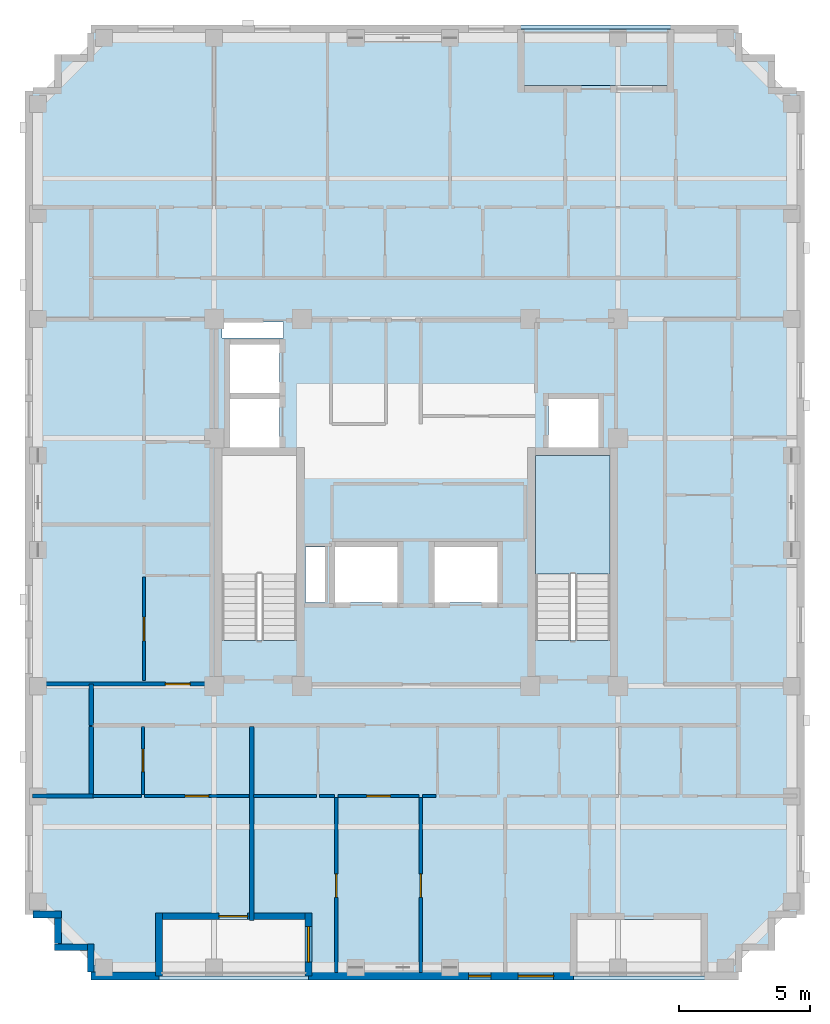
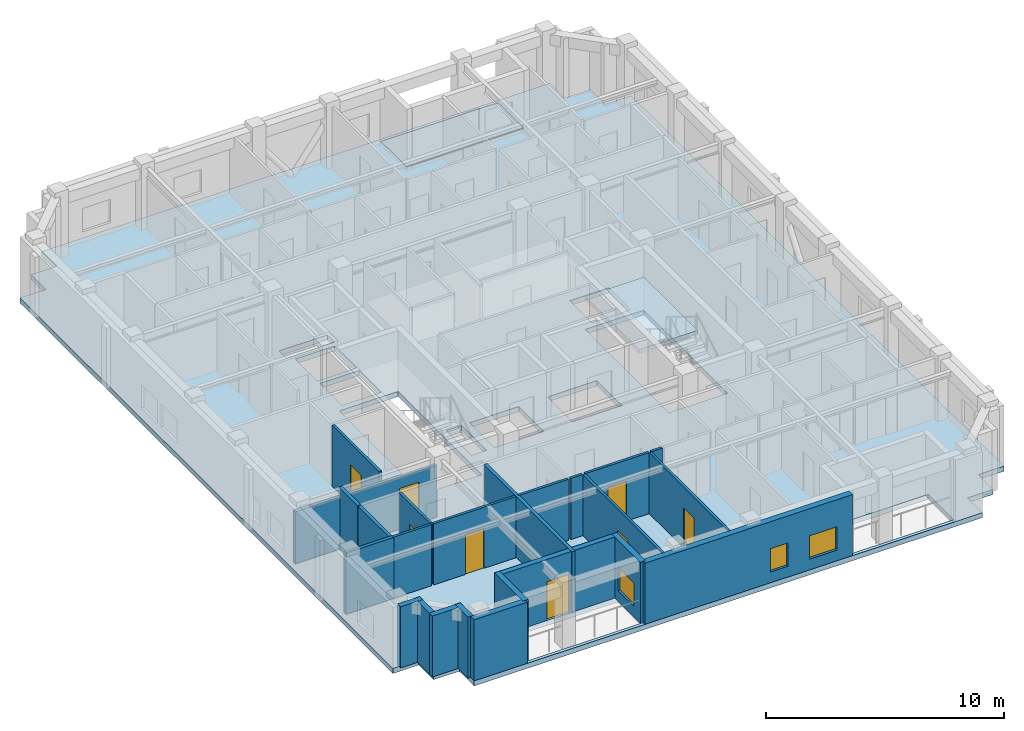
# One storey, part 2 of 11: 24 walls, 8 doors, 3 slabs, 3 windows, 11 openings, 1 element without a shape of its own.
"""IFC4 building model written with IfcOpenShell, lengths in metres."""

from ifc_helpers import new_model, si_unit, derived_unit, direction, frame, frame_2d, origin, place, context, subcontext, project, spatial, polyline, rectangle, outline, extrude, material, layer, layer_set, type_object, element, fill, aggregate, save


model = new_model("IFC4")

# Units and contexts
model_context = context("Model", 3, precision=1e-05, world=origin(), true_north=direction((0.0, 1.0)))
body_context = subcontext(model_context, "Body", "Model", "MODEL_VIEW")
ifc_project = project(units=[si_unit("LENGTHUNIT", "METRE"), si_unit("AREAUNIT", "SQUARE_METRE"), si_unit("VOLUMEUNIT", "CUBIC_METRE"), si_unit("PLANEANGLEUNIT", "RADIAN"), si_unit("MASSUNIT", "GRAM", prefix="KILO"), derived_unit("THERMALTRANSMITTANCEUNIT", [(si_unit("MASSUNIT", "GRAM", prefix="KILO"), 1), (si_unit("TIMEUNIT", "SECOND"), -3), (si_unit("THERMODYNAMICTEMPERATUREUNIT", "KELVIN"), -1)])], contexts=[model_context])

# Site, building, storey
site_placement = place(None, origin())
site = spatial("IfcSite", under=ifc_project, at=site_placement, CompositionType="ELEMENT")
building_placement = place(site_placement, origin())
building = spatial("IfcBuilding", under=site, at=building_placement, Name="Korrvale Station Residences", CompositionType="ELEMENT")
storey_placement = place(building_placement, frame((0.0, 0.0, 244.5)))
storey = spatial("IfcBuildingStorey", under=building, at=storey_placement, Name="L71", CompositionType="ELEMENT", Elevation=244.5)

# Slabs
ifc_material_1 = material(Name="Concrete C50/60", Category="concrete")
ifc_layer_1 = layer(ifc_material_1, 0.219970703125, Name="Concrete C50/60")
ifc_layer_set_1 = layer_set([ifc_layer_1], Name="Concrete C50/60")
slab_type_1 = type_object("IfcSlabType", Name="SLB-BAL-220", PredefinedType="FLOOR", material=ifc_layer_set_1)
slab_1_placement = place(storey_placement, frame((0.0, 0.0, -0.219970703125)))
element("IfcSlab", 1, at=slab_1_placement, inside=storey, type_object=slab_type_1, Name="L71 Recessed Loggia Balcony Slab BAL-L71-N1", PredefinedType="FLOOR", context=body_context, shape_type="SweptSolid", body=[
    extrude(outline(polyline([(29.5, 37.89990234375), (35.199951171875, 37.89990234375), (35.199951171875, 40.050048828125), (29.5, 40.050048828125), (29.5, 37.89990234375)])), origin(), (0.0, 0.0, 1.0), 0.219970703125),
])
ifc_layer_2 = layer(ifc_material_1, 0.260009765625, Name="Concrete C50/60")
ifc_layer_set_2 = layer_set([ifc_layer_2], Name="Concrete C50/60")
slab_type_2 = type_object("IfcSlabType", Name="SLB-FLR-260", PredefinedType="FLOOR", material=ifc_layer_set_2)
slab_2_placement = place(storey_placement, frame((0.0, 0.0, -0.260009765625)))
element("IfcSlab", 2, at=slab_2_placement, inside=storey, type_object=slab_type_2, Name="L71 Suspended Structural Floor Slab", PredefinedType="FLOOR", context=body_context, shape_type="SweptSolid", body=[
    extrude(outline(polyline([(13.10009765625, 3.800048828125), (37.800048828125, 3.800048828125), (37.800048828125, 5.050048828125), (39.050048828125, 5.050048828125), (39.050048828125, 6.300048828125), (40.300048828125, 6.300048828125), (40.300048828125, 37.699951171875), (39.050048828125, 37.699951171875), (39.050048828125, 38.949951171875), (37.800048828125, 38.949951171875), (37.800048828125, 40.199951171875), (13.10009765625, 40.199951171875), (13.10009765625, 38.949951171875), (11.85009765625, 38.949951171875), (11.85009765625, 37.699951171875), (10.60009765625, 37.699951171875), (10.60009765625, 6.300048828125), (11.85009765625, 6.300048828125), (11.85009765625, 5.050048828125), (13.10009765625, 5.050048828125), (13.10009765625, 3.800048828125)]), holes=[polyline([(20.949951171875, 16.751953125), (20.949951171875, 23.800048828125), (18.10009765625, 23.800048828125), (18.10009765625, 16.751953125), (20.949951171875, 16.751953125)]), polyline([(32.89990234375, 16.751953125), (32.89990234375, 23.800048828125), (30.050048828125, 23.800048828125), (30.050048828125, 16.751953125), (32.89990234375, 16.751953125)]), polyline([(18.39990234375, 24.10009765625), (20.300048828125, 24.10009765625), (20.300048828125, 25.949951171875), (18.39990234375, 25.949951171875), (18.39990234375, 24.10009765625)]), polyline([(18.39990234375, 26.169921875), (20.300048828125, 26.169921875), (20.300048828125, 28.02001953125), (18.39990234375, 28.02001953125), (18.39990234375, 26.169921875)]), polyline([(30.550048828125, 24.10009765625), (32.449951171875, 24.10009765625), (32.449951171875, 25.949951171875), (30.550048828125, 25.949951171875), (30.550048828125, 24.10009765625)]), polyline([(22.39990234375, 18.199951171875), (24.800048828125, 18.199951171875), (24.800048828125, 20.300048828125), (22.39990234375, 20.300048828125), (22.39990234375, 18.199951171875)]), polyline([(26.199951171875, 18.199951171875), (28.60009765625, 18.199951171875), (28.60009765625, 20.300048828125), (26.199951171875, 20.300048828125), (26.199951171875, 18.199951171875)]), polyline([(18.10009765625, 28.280029296875), (20.449951171875, 28.280029296875), (20.449951171875, 28.8798828125), (18.10009765625, 28.8798828125), (18.10009765625, 28.280029296875)]), polyline([(21.280029296875, 18.199951171875), (22.02001953125, 18.199951171875), (22.02001953125, 20.300048828125), (21.280029296875, 20.300048828125), (21.280029296875, 18.199951171875)]), polyline([(15.699951171875, 3.949951171875), (21.39990234375, 3.949951171875), (21.39990234375, 6.10009765625), (15.699951171875, 6.10009765625), (15.699951171875, 3.949951171875)]), polyline([(29.5, 37.89990234375), (35.199951171875, 37.89990234375), (35.199951171875, 40.050048828125), (29.5, 40.050048828125), (29.5, 37.89990234375)]), polyline([(31.5, 3.949951171875), (36.5, 3.949951171875), (36.5, 6.10009765625), (31.5, 6.10009765625), (31.5, 3.949951171875)])]), origin(), (0.0, 0.0, 1.0), 0.260009765625),
])

# Stair, slab
stair_type = type_object("IfcStairType", Name="STR-DL-1350-20R-1700", PredefinedType="HALF_TURN_STAIR", material=ifc_material_1)
stair_placement = place(storey_placement, origin())
stair = element("IfcStair", 3, at=stair_placement, inside=storey, type_object=stair_type, Name="L71 Exit Stair 2", PredefinedType="HALF_TURN_STAIR")
ifc_layer_3 = layer(ifc_material_1, 0.199951171875, Name="Concrete C50/60")
ifc_layer_set_3 = layer_set([ifc_layer_3], Name="Concrete C50/60")
slab_type_3 = type_object("IfcSlabType", Name="SLB-LND-200", PredefinedType="LANDING", material=ifc_layer_set_3)
slab_3_placement = place(storey_placement, frame((0.0, 0.0, 1.5)))
slab_3 = element("IfcSlab", 4, at=slab_3_placement, type_object=slab_type_3, Name="ST-2 landing 1", PredefinedType="LANDING", context=body_context, shape_type="SweptSolid", body=[
    extrude(outline(polyline([(32.89990234375, 19.27001953125), (32.89990234375, 23.800048828125), (30.050048828125, 23.800048828125), (30.050048828125, 19.27001953125), (32.89990234375, 19.27001953125)])), origin(), (0.0, 0.0, 1.0), 0.199951171875),
])
aggregate(stair, [slab_3])

# Wall, opening, window
ifc_material_2 = material(Name="Precast concrete C45/55", Category="concrete")
ifc_layer_4 = layer(ifc_material_2, 0.260009765625, Name="Precast concrete C45/55")
ifc_layer_set_4 = layer_set([ifc_layer_4], Name="Precast concrete C45/55")
wall_type_1 = type_object("IfcWallType", Name="WAL-EXT-LOG260", PredefinedType="SOLIDWALL", material=ifc_layer_set_4)
wall_1_placement = place(storey_placement, frame((21.39990234375, 3.9599609375, 0.0), z_axis=(0.0, 0.0, 1.0), x_axis=(0.0, 1.0, 0.0)))
wall_1 = element("IfcWall", 5, at=wall_1_placement, inside=storey, type_object=wall_type_1, Name="L71 Recessed Loggia Wall BAL-L71-S1-L", PredefinedType="SOLIDWALL", context=body_context, shape_type="SweptSolid", body=[
    extrude(rectangle(XDim=2.400146484375, YDim=0.260009765625, at=frame_2d((1.2001953125, 0.0))), origin(), (0.0, 0.0, 1.0), 3.139892578125),
])
opening_1_placement = place(wall_1_placement, frame((0.52490234375, 0.0, 0.550048828125)))
opening_1 = element("IfcOpeningElement", 6, at=opening_1_placement, cuts=wall_1, Name="Opening W-10", PredefinedType="OPENING", context=body_context, shape_type="SweptSolid", body=[
    extrude(rectangle(XDim=1.35009765625, YDim=1.199951171875, at=frame_2d((0.675048828125, 0.60009765625))), frame((0.0, 0.14013671875, 0.0), z_axis=(0.0, -1.0, 0.0), x_axis=(1.0, 0.0, 0.0)), (0.0, 0.0, 1.0), 0.280029296875),
])
ifc_material_3 = material(Name="Thermally broken aluminium frame with triple low-e glazing", Category="aluminium")
window_type_1 = type_object("IfcWindowType", Name="WIN-W10", PartitioningType="SINGLE_PANEL", PredefinedType="WINDOW", material=ifc_material_3)
window_1_placement = place(opening_1_placement, origin())
window_1 = element("IfcWindow", 7, at=window_1_placement, inside=storey, type_object=window_type_1, Name="L71 Punched Window 02", OverallHeight=1.199951171875, OverallWidth=1.35009765625, PartitioningType="SINGLE_PANEL", PredefinedType="WINDOW", context=body_context, shape_type="SweptSolid", body=[
    extrude(rectangle(XDim=1.35009765625, YDim=1.199951171875, at=frame_2d((0.675048828125, 0.60009765625))), frame((0.0, 0.030029296875, 0.0), z_axis=(0.0, -1.0, 0.0), x_axis=(1.0, 0.0, 0.0)), (0.0, 0.0, 1.0), 0.06005859375),
])
fill(opening_1, window_1)

# Wall, opening, door
wall_2_placement = place(storey_placement, frame((21.26611328125, 6.22998046875, 0.0), z_axis=(0.0, 0.0, 1.0), x_axis=(-1.0, 0.0, 0.0)))
wall_2 = element("IfcWall", 8, at=wall_2_placement, inside=storey, type_object=wall_type_1, Name="L71 Recessed Loggia Wall BAL-L71-S1-B", PredefinedType="SOLIDWALL", context=body_context, shape_type="SweptSolid", body=[
    extrude(rectangle(XDim=5.43212890625, YDim=0.260009765625, at=frame_2d((2.716064453125, 0.0))), origin(), (0.0, 0.0, 1.0), 3.139892578125),
])
opening_2_placement = place(wall_2_placement, frame((2.18701171875, 0.0, 0.0)))
opening_2 = element("IfcOpeningElement", 9, at=opening_2_placement, cuts=wall_2, Name="Opening BD-01", PredefinedType="OPENING", context=body_context, shape_type="SweptSolid", body=[
    extrude(rectangle(XDim=1.10009765625, YDim=2.0, at=frame_2d((0.550048828125, 1.0))), frame((0.0, 0.14013671875, 0.0), z_axis=(0.0, -1.0, 0.0), x_axis=(1.0, 0.0, 0.0)), (0.0, 0.0, 1.0), 0.280029296875),
])
ifc_material_4 = material(Name="Exterior thermally broken aluminium glazed balcony door", Category="aluminium")
door_type_1 = type_object("IfcDoorType", Name="DR-EXT-BAL", OperationType="NOTDEFINED", PredefinedType="DOOR", material=ifc_material_4)
door_1_placement = place(opening_2_placement, origin())
door_1 = element("IfcDoor", 10, at=door_1_placement, inside=storey, type_object=door_type_1, Name="L71 Loggia Balcony Door BAL-L71-S1", OperationType="SINGLE_SWING_LEFT", OverallHeight=2.0, OverallWidth=1.10009765625, PredefinedType="DOOR", context=body_context, shape_type="SweptSolid", body=[
    extrude(rectangle(XDim=1.10009765625, YDim=2.0, at=frame_2d((0.550048828125, 1.0))), frame((0.0, 0.02490234375, 0.0), z_axis=(0.0, -1.0, 0.0), x_axis=(1.0, 0.0, 0.0)), (0.0, 0.0, 1.0), 0.050048828125),
])
fill(opening_2, door_1)

# Walls
wall_3_placement = place(storey_placement, frame((15.699951171875, 6.360107421875, 0.0), z_axis=(0.0, 0.0, 1.0), x_axis=(0.0, -1.0, 0.0)))
element("IfcWall", 11, at=wall_3_placement, inside=storey, type_object=wall_type_1, Name="L71 Recessed Loggia Wall BAL-L71-S1-R", PredefinedType="SOLIDWALL", context=body_context, shape_type="SweptSolid", body=[
    extrude(rectangle(XDim=2.400146484375, YDim=0.260009765625, at=frame_2d((1.2001953125, 0.0))), origin(), (0.0, 0.0, 1.0), 3.139892578125),
])
wall_4_placement = place(storey_placement, frame((13.10009765625, 4.10205078125, 0.0), z_axis=(0.0, 0.0, 1.0), x_axis=(0.0, 1.0, 0.0)))
element("IfcWall", 12, at=wall_4_placement, inside=storey, type_object=wall_type_1, Name="L71 Serrated Corner Precast Step SW-1", PredefinedType="SOLIDWALL", context=body_context, shape_type="SweptSolid", body=[
    extrude(rectangle(XDim=1.077880859375, YDim=0.260009765625, at=frame_2d((0.5390625, 0.0))), origin(), (0.0, 0.0, 1.0), 3.139892578125),
])
wall_5_placement = place(storey_placement, frame((12.968017578125, 5.050048828125, 0.0), z_axis=(0.0, 0.0, 1.0), x_axis=(-1.0, 0.0, 0.0)))
element("IfcWall", 13, at=wall_5_placement, inside=storey, type_object=wall_type_1, Name="L71 Serrated Corner Precast Step SW-2", PredefinedType="SOLIDWALL", context=body_context, shape_type="SweptSolid", body=[
    extrude(rectangle(XDim=1.248046875, YDim=0.260009765625, at=frame_2d((0.6240234375, 0.0))), origin(), (0.0, 0.0, 1.0), 3.139892578125),
])
wall_6_placement = place(storey_placement, frame((11.85009765625, 5.181884765625, 0.0), z_axis=(0.0, 0.0, 1.0), x_axis=(0.0, 1.0, 0.0)))
element("IfcWall", 14, at=wall_6_placement, inside=storey, type_object=wall_type_1, Name="L71 Serrated Corner Precast Step SW-3", PredefinedType="SOLIDWALL", context=body_context, shape_type="SweptSolid", body=[
    extrude(rectangle(XDim=0.986083984375, YDim=0.260009765625, at=frame_2d((0.4931640625, 0.0))), origin(), (0.0, 0.0, 1.0), 3.139892578125),
])
wall_7_placement = place(storey_placement, frame((11.97998046875, 6.300048828125, 0.0), z_axis=(0.0, 0.0, 1.0), x_axis=(-1.0, 0.0, 0.0)))
element("IfcWall", 15, at=wall_7_placement, inside=storey, type_object=wall_type_1, Name="L71 Serrated Corner Precast Step SW-4", PredefinedType="SOLIDWALL", context=body_context, shape_type="SweptSolid", body=[
    extrude(rectangle(XDim=1.077880859375, YDim=0.260009765625, at=frame_2d((0.5390625, 0.0))), origin(), (0.0, 0.0, 1.0), 3.139892578125),
])

# Wall, openings, windows
ifc_layer_5 = layer(ifc_material_2, 0.300048828125, Name="Precast concrete C45/55")
ifc_layer_set_5 = layer_set([ifc_layer_5], Name="Precast concrete C45/55")
wall_type_2 = type_object("IfcWallType", Name="WAL-EXT-PC300", PredefinedType="SOLIDWALL", material=ifc_layer_set_5)
wall_8_placement = place(storey_placement, frame((31.5, 3.949951171875, 0.0), z_axis=(0.0, 0.0, 1.0), x_axis=(-1.0, 0.0, 0.0)))
wall_8 = element("IfcWall", 16, at=wall_8_placement, inside=storey, type_object=wall_type_2, Name="L71 South Exterior Precast Wall 2", PredefinedType="SOLIDWALL", context=body_context, shape_type="SweptSolid", body=[
    extrude(rectangle(XDim=10.10009765625, YDim=0.300048828125, at=frame_2d((5.050048828125, 0.0))), origin(), (0.0, 0.0, 1.0), 3.139892578125),
])
opening_3_placement = place(wall_8_placement, frame((3.14990234375, 0.0, 0.550048828125)))
opening_3 = element("IfcOpeningElement", 17, at=opening_3_placement, cuts=wall_8, Name="Opening W-11", PredefinedType="OPENING", context=body_context, shape_type="SweptSolid", body=[
    extrude(rectangle(XDim=0.85009765625, YDim=1.199951171875, at=frame_2d((0.425048828125, 0.60009765625))), frame((0.0, 0.16015625, 0.0), z_axis=(0.0, -1.0, 0.0), x_axis=(1.0, 0.0, 0.0)), (0.0, 0.0, 1.0), 0.320068359375),
])
opening_4_placement = place(wall_8_placement, frame((0.757080078125, 0.0, 0.550048828125)))
opening_4 = element("IfcOpeningElement", 18, at=opening_4_placement, cuts=wall_8, Name="Opening W-10", PredefinedType="OPENING", context=body_context, shape_type="SweptSolid", body=[
    extrude(rectangle(XDim=1.35009765625, YDim=1.199951171875, at=frame_2d((0.675048828125, 0.60009765625))), frame((0.0, 0.16015625, 0.0), z_axis=(0.0, -1.0, 0.0), x_axis=(1.0, 0.0, 0.0)), (0.0, 0.0, 1.0), 0.320068359375),
])
window_2_placement = place(opening_4_placement, origin())
window_2 = element("IfcWindow", 19, at=window_2_placement, inside=storey, type_object=window_type_1, Name="L71 Punched Window 04", OverallHeight=1.199951171875, OverallWidth=1.35009765625, PartitioningType="SINGLE_PANEL", PredefinedType="WINDOW", context=body_context, shape_type="SweptSolid", body=[
    extrude(rectangle(XDim=1.35009765625, YDim=1.199951171875, at=frame_2d((0.675048828125, 0.60009765625))), frame((0.0, 0.030029296875, 0.0), z_axis=(0.0, -1.0, 0.0), x_axis=(1.0, 0.0, 0.0)), (0.0, 0.0, 1.0), 0.06005859375),
])
fill(opening_4, window_2)
window_type_2 = type_object("IfcWindowType", Name="WIN-W11", PartitioningType="SINGLE_PANEL", PredefinedType="WINDOW", material=ifc_material_3)
window_3_placement = place(opening_3_placement, origin())
window_3 = element("IfcWindow", 20, at=window_3_placement, inside=storey, type_object=window_type_2, Name="L71 Punched Window 03", OverallHeight=1.199951171875, OverallWidth=0.85009765625, PartitioningType="SINGLE_PANEL", PredefinedType="WINDOW", context=body_context, shape_type="SweptSolid", body=[
    extrude(rectangle(XDim=0.85009765625, YDim=1.199951171875, at=frame_2d((0.425048828125, 0.60009765625))), frame((0.0, 0.030029296875, 0.0), z_axis=(0.0, -1.0, 0.0), x_axis=(1.0, 0.0, 0.0)), (0.0, 0.0, 1.0), 0.06005859375),
])
fill(opening_3, window_3)

# Wall
wall_9_placement = place(storey_placement, frame((15.699951171875, 3.949951171875, 0.0), z_axis=(0.0, 0.0, 1.0), x_axis=(-1.0, 0.0, 0.0)))
element("IfcWall", 21, at=wall_9_placement, inside=storey, type_object=wall_type_2, Name="L71 South Exterior Precast Wall 3", PredefinedType="SOLIDWALL", context=body_context, shape_type="SweptSolid", body=[
    extrude(rectangle(XDim=2.599853515625, YDim=0.300048828125, at=frame_2d((1.2998046875, 0.0))), origin(), (0.0, 0.0, 1.0), 3.139892578125),
])

# Wall, opening, door
ifc_material_5 = material(Name="Acoustic steel-stud gypsum board partition", Category="steel")
ifc_layer_6 = layer(ifc_material_5, 0.1201171875, Name="Acoustic steel-stud gypsum board partition")
ifc_layer_set_6 = layer_set([ifc_layer_6], Name="Acoustic steel-stud gypsum board partition")
wall_type_3 = type_object("IfcWallType", Name="WAL-PART-125", PredefinedType="PARTITIONING", material=ifc_layer_set_6)
wall_10_placement = place(storey_placement, frame((15.090087890625, 10.8701171875, 0.0), z_axis=(0.0, 0.0, 1.0), x_axis=(0.0, 1.0, 0.0)))
wall_10 = element("IfcWall", 22, at=wall_10_placement, inside=storey, type_object=wall_type_3, Name="L71 Suite Partition U01-V01", PredefinedType="PARTITIONING", context=body_context, shape_type="SweptSolid", body=[
    extrude(rectangle(XDim=2.599853515625, YDim=0.1201171875, at=frame_2d((1.2998046875, 0.0))), origin(), (0.0, 0.0, 1.0), 3.139892578125),
])
opening_5_placement = place(wall_10_placement, frame((0.8701171875, 0.0, 0.0)))
opening_5 = element("IfcOpeningElement", 23, at=opening_5_placement, cuts=wall_10, Name="Opening DB-860", PredefinedType="OPENING", context=body_context, shape_type="SweptSolid", body=[
    extrude(rectangle(XDim=0.860107421875, YDim=2.050048828125, at=frame_2d((0.43017578125, 1.02490234375))), frame((0.0, 0.070068359375, 0.0), z_axis=(0.0, -1.0, 0.0), x_axis=(1.0, 0.0, 0.0)), (0.0, 0.0, 1.0), 0.14013671875),
])
ifc_material_6 = material(Name="Moisture-resistant solid-core bathroom door", Category="timber")
door_type_2 = type_object("IfcDoorType", Name="DR-BATH-860", OperationType="NOTDEFINED", PredefinedType="DOOR", material=ifc_material_6)
door_2_placement = place(opening_5_placement, origin())
door_2 = element("IfcDoor", 24, at=door_2_placement, inside=storey, type_object=door_type_2, Name="L71 Studio Apartment L71-U01 Bathroom Door", OperationType="SINGLE_SWING_LEFT", OverallHeight=2.050048828125, OverallWidth=0.860107421875, PredefinedType="DOOR", context=body_context, shape_type="SweptSolid", body=[
    extrude(rectangle(XDim=0.860107421875, YDim=2.050048828125, at=frame_2d((0.43017578125, 1.02490234375))), frame((0.0, 0.02490234375, 0.0), z_axis=(0.0, -1.0, 0.0), x_axis=(1.0, 0.0, 0.0)), (0.0, 0.0, 1.0), 0.050048828125),
])
fill(opening_5, door_2)

# Wall
wall_11_placement = place(storey_placement, frame((13.179931640625, 10.81005859375, 0.0), z_axis=(0.0, 0.0, 1.0), x_axis=(1.0, 0.0, 0.0)))
element("IfcWall", 25, at=wall_11_placement, inside=storey, type_object=wall_type_3, Name="L71 Suite Partition U01-H02", PredefinedType="PARTITIONING", context=body_context, shape_type="SweptSolid", body=[
    extrude(rectangle(XDim=1.85009765625, YDim=0.1201171875, at=frame_2d((0.925048828125, 0.0))), origin(), (0.0, 0.0, 1.0), 3.139892578125),
])

# Wall, opening, door
wall_12_placement = place(storey_placement, frame((15.14990234375, 10.81005859375, 0.0), z_axis=(0.0, 0.0, 1.0), x_axis=(1.0, 0.0, 0.0)))
wall_12 = element("IfcWall", 26, at=wall_12_placement, inside=storey, type_object=wall_type_3, Name="L71 Suite Partition U01-H12", PredefinedType="PARTITIONING", context=body_context, shape_type="SweptSolid", body=[
    extrude(rectangle(XDim=3.989013671875, YDim=0.1201171875, at=frame_2d((1.99462890625, 0.0))), origin(), (0.0, 0.0, 1.0), 3.139892578125),
])
opening_6_placement = place(wall_12_placement, frame((1.5439453125, 0.0, 0.0)))
opening_6 = element("IfcOpeningElement", 27, at=opening_6_placement, cuts=wall_12, Name="Opening DI-900", PredefinedType="OPENING", context=body_context, shape_type="SweptSolid", body=[
    extrude(rectangle(XDim=0.89990234375, YDim=2.050048828125, at=frame_2d((0.449951171875, 1.02490234375))), frame((0.0, 0.070068359375, 0.0), z_axis=(0.0, -1.0, 0.0), x_axis=(1.0, 0.0, 0.0)), (0.0, 0.0, 1.0), 0.14013671875),
])
ifc_material_7 = material(Name="Painted solid-core timber interior room door", Category="wood")
door_type_3 = type_object("IfcDoorType", Name="DR-INT-900", OperationType="NOTDEFINED", PredefinedType="DOOR", material=ifc_material_7)
door_3_placement = place(opening_6_placement, origin())
door_3 = element("IfcDoor", 28, at=door_3_placement, inside=storey, type_object=door_type_3, Name="L71 Studio Apartment L71-U01 Kitchen Door", OperationType="SINGLE_SWING_RIGHT", OverallHeight=2.050048828125, OverallWidth=0.89990234375, PredefinedType="DOOR", context=body_context, shape_type="SweptSolid", body=[
    extrude(rectangle(XDim=0.89990234375, YDim=2.050048828125, at=frame_2d((0.449951171875, 1.02490234375))), frame((0.0, 0.02490234375, 0.0), z_axis=(0.0, -1.0, 0.0), x_axis=(1.0, 0.0, 0.0)), (0.0, 0.0, 1.0), 0.050048828125),
])
fill(opening_6, door_3)

# Walls
wall_13_placement = place(storey_placement, frame((19.299072265625, 10.81005859375, 0.0), z_axis=(0.0, 0.0, 1.0), x_axis=(1.0, 0.0, 0.0)))
element("IfcWall", 29, at=wall_13_placement, inside=storey, type_object=wall_type_3, Name="L71 Suite Partition U02-H07", PredefinedType="PARTITIONING", context=body_context, shape_type="SweptSolid", body=[
    extrude(rectangle(XDim=2.39990234375, YDim=0.1201171875, at=frame_2d((1.199951171875, 0.0))), origin(), (0.0, 0.0, 1.0), 3.139892578125),
])
wall_14_placement = place(storey_placement, frame((21.819091796875, 10.81005859375, 0.0), z_axis=(0.0, 0.0, 1.0), x_axis=(1.0, 0.0, 0.0)))
element("IfcWall", 30, at=wall_14_placement, inside=storey, type_object=wall_type_3, Name="L71 Suite Partition U02-H17", PredefinedType="PARTITIONING", context=body_context, shape_type="SweptSolid", body=[
    extrude(rectangle(XDim=0.579833984375, YDim=0.1201171875, at=frame_2d((0.2900390625, 0.0))), origin(), (0.0, 0.0, 1.0), 3.139892578125),
])

# Wall, opening, door
wall_15_placement = place(storey_placement, frame((22.51904296875, 10.81005859375, 0.0), z_axis=(0.0, 0.0, 1.0), x_axis=(1.0, 0.0, 0.0)))
wall_15 = element("IfcWall", 31, at=wall_15_placement, inside=storey, type_object=wall_type_3, Name="L71 Suite Partition U02-H18", PredefinedType="PARTITIONING", context=body_context, shape_type="SweptSolid", body=[
    extrude(rectangle(XDim=3.099853515625, YDim=0.1201171875, at=frame_2d((1.5498046875, 0.0))), origin(), (0.0, 0.0, 1.0), 3.139892578125),
])
opening_7_placement = place(wall_15_placement, frame((1.10009765625, 0.0, 0.0)))
opening_7 = element("IfcOpeningElement", 32, at=opening_7_placement, cuts=wall_15, Name="Opening DI-900", PredefinedType="OPENING", context=body_context, shape_type="SweptSolid", body=[
    extrude(rectangle(XDim=0.89990234375, YDim=2.050048828125, at=frame_2d((0.449951171875, 1.02490234375))), frame((0.0, 0.070068359375, 0.0), z_axis=(0.0, -1.0, 0.0), x_axis=(1.0, 0.0, 0.0)), (0.0, 0.0, 1.0), 0.14013671875),
])
door_4_placement = place(opening_7_placement, origin())
door_4 = element("IfcDoor", 33, at=door_4_placement, inside=storey, type_object=door_type_3, Name="L71 Studio Apartment L71-U02 Kitchen Door", OperationType="SINGLE_SWING_LEFT", OverallHeight=2.050048828125, OverallWidth=0.89990234375, PredefinedType="DOOR", context=body_context, shape_type="SweptSolid", body=[
    extrude(rectangle(XDim=0.89990234375, YDim=2.050048828125, at=frame_2d((0.449951171875, 1.02490234375))), frame((0.0, 0.02490234375, 0.0), z_axis=(0.0, -1.0, 0.0), x_axis=(1.0, 0.0, 0.0)), (0.0, 0.0, 1.0), 0.050048828125),
])
fill(opening_7, door_4)

# Wall
wall_16_placement = place(storey_placement, frame((25.739013671875, 10.81005859375, 0.0), z_axis=(0.0, 0.0, 1.0), x_axis=(1.0, 0.0, 0.0)))
element("IfcWall", 34, at=wall_16_placement, inside=storey, type_object=wall_type_3, Name="L71 Suite Partition U02-H19", PredefinedType="PARTITIONING", context=body_context, shape_type="SweptSolid", body=[
    extrude(rectangle(XDim=0.52001953125, YDim=0.1201171875, at=frame_2d((0.260009765625, 0.0))), origin(), (0.0, 0.0, 1.0), 3.139892578125),
])

# Wall, opening, door
wall_17_placement = place(storey_placement, frame((22.458984375, 4.080078125, 0.0), z_axis=(0.0, 0.0, 1.0), x_axis=(0.0, 1.0, 0.0)))
wall_17 = element("IfcWall", 35, at=wall_17_placement, inside=storey, type_object=wall_type_3, Name="L71 Suite Partition U02-V78", PredefinedType="PARTITIONING", context=body_context, shape_type="SweptSolid", body=[
    extrude(rectangle(XDim=6.669921875, YDim=0.1201171875, at=frame_2d((3.3349609375, 0.0))), origin(), (0.0, 0.0, 1.0), 3.139892578125),
])
opening_8_placement = place(wall_17_placement, frame((2.8701171875, 0.0, 0.0)))
opening_8 = element("IfcOpeningElement", 36, at=opening_8_placement, cuts=wall_17, Name="Opening DI-900", PredefinedType="OPENING", context=body_context, shape_type="SweptSolid", body=[
    extrude(rectangle(XDim=0.89990234375, YDim=2.050048828125, at=frame_2d((0.449951171875, 1.02490234375))), frame((0.0, 0.070068359375, 0.0), z_axis=(0.0, -1.0, 0.0), x_axis=(1.0, 0.0, 0.0)), (0.0, 0.0, 1.0), 0.14013671875),
])
door_5_placement = place(opening_8_placement, origin())
door_5 = element("IfcDoor", 37, at=door_5_placement, inside=storey, type_object=door_type_3, Name="L71 Studio Apartment L71-U02 Formal Dining Room Door", OperationType="SINGLE_SWING_RIGHT", OverallHeight=2.050048828125, OverallWidth=0.89990234375, PredefinedType="DOOR", context=body_context, shape_type="SweptSolid", body=[
    extrude(rectangle(XDim=0.89990234375, YDim=2.050048828125, at=frame_2d((0.449951171875, 1.02490234375))), frame((0.0, 0.02490234375, 0.0), z_axis=(0.0, -1.0, 0.0), x_axis=(1.0, 0.0, 0.0)), (0.0, 0.0, 1.0), 0.050048828125),
])
fill(opening_8, door_5)

wall_18_placement = place(storey_placement, frame((25.678955078125, 4.080078125, 0.0), z_axis=(0.0, 0.0, 1.0), x_axis=(0.0, 1.0, 0.0)))
wall_18 = element("IfcWall", 38, at=wall_18_placement, inside=storey, type_object=wall_type_3, Name="L71 Suite Partition U02-V89", PredefinedType="PARTITIONING", context=body_context, shape_type="SweptSolid", body=[
    extrude(rectangle(XDim=6.669921875, YDim=0.1201171875, at=frame_2d((3.3349609375, 0.0))), origin(), (0.0, 0.0, 1.0), 3.139892578125),
])
opening_9_placement = place(wall_18_placement, frame((2.8701171875, 0.0, 0.0)))
opening_9 = element("IfcOpeningElement", 39, at=opening_9_placement, cuts=wall_18, Name="Opening DI-900", PredefinedType="OPENING", context=body_context, shape_type="SweptSolid", body=[
    extrude(rectangle(XDim=0.89990234375, YDim=2.050048828125, at=frame_2d((0.449951171875, 1.02490234375))), frame((0.0, 0.070068359375, 0.0), z_axis=(0.0, -1.0, 0.0), x_axis=(1.0, 0.0, 0.0)), (0.0, 0.0, 1.0), 0.14013671875),
])
door_6_placement = place(opening_9_placement, origin())
door_6 = element("IfcDoor", 40, at=door_6_placement, inside=storey, type_object=door_type_3, Name="L71 Studio Apartment L71-U02 Walk-In Wardrobe Door", OperationType="SINGLE_SWING_LEFT", OverallHeight=2.050048828125, OverallWidth=0.89990234375, PredefinedType="DOOR", context=body_context, shape_type="SweptSolid", body=[
    extrude(rectangle(XDim=0.89990234375, YDim=2.050048828125, at=frame_2d((0.449951171875, 1.02490234375))), frame((0.0, 0.02490234375, 0.0), z_axis=(0.0, -1.0, 0.0), x_axis=(1.0, 0.0, 0.0)), (0.0, 0.0, 1.0), 0.050048828125),
])
fill(opening_9, door_6)

wall_19_placement = place(storey_placement, frame((15.1298828125, 15.2099609375, 0.0), z_axis=(0.0, 0.0, 1.0), x_axis=(0.0, 1.0, 0.0)))
wall_19 = element("IfcWall", 41, at=wall_19_placement, inside=storey, type_object=wall_type_3, Name="L71 Suite Partition U04-V12", PredefinedType="PARTITIONING", context=body_context, shape_type="SweptSolid", body=[
    extrude(rectangle(XDim=3.946044921875, YDim=0.1201171875, at=frame_2d((1.97314453125, 0.0))), origin(), (0.0, 0.0, 1.0), 3.139892578125),
])
opening_10_placement = place(wall_19_placement, frame((1.52294921875, 0.0, 0.0)))
opening_10 = element("IfcOpeningElement", 42, at=opening_10_placement, cuts=wall_19, Name="Opening DI-900", PredefinedType="OPENING", context=body_context, shape_type="SweptSolid", body=[
    extrude(rectangle(XDim=0.89990234375, YDim=2.050048828125, at=frame_2d((0.449951171875, 1.02490234375))), frame((0.0, 0.070068359375, 0.0), z_axis=(0.0, -1.0, 0.0), x_axis=(1.0, 0.0, 0.0)), (0.0, 0.0, 1.0), 0.14013671875),
])
door_7_placement = place(opening_10_placement, origin())
door_7 = element("IfcDoor", 43, at=door_7_placement, inside=storey, type_object=door_type_3, Name="L71 Studio Apartment L71-U04 Kitchen Door", OperationType="SINGLE_SWING_LEFT", OverallHeight=2.050048828125, OverallWidth=0.89990234375, PredefinedType="DOOR", context=body_context, shape_type="SweptSolid", body=[
    extrude(rectangle(XDim=0.89990234375, YDim=2.050048828125, at=frame_2d((0.449951171875, 1.02490234375))), frame((0.0, 0.02490234375, 0.0), z_axis=(0.0, -1.0, 0.0), x_axis=(1.0, 0.0, 0.0)), (0.0, 0.0, 1.0), 0.050048828125),
])
fill(opening_10, door_7)

# Walls
ifc_material_8 = material(Name="Fire-rated twin-stud gypsum and mineral wool shaftwall assembly", Category="gypsum")
ifc_layer_7 = layer(ifc_material_8, 0.159912109375, Name="Fire-rated twin-stud gypsum and mineral wool shaftwall assembly")
ifc_layer_set_7 = layer_set([ifc_layer_7], Name="Fire-rated twin-stud gypsum and mineral wool shaftwall assembly")
wall_type_4 = type_object("IfcWallType", Name="WAL-PART-200", PredefinedType="PARTITIONING", material=ifc_layer_set_7)
wall_20_placement = place(storey_placement, frame((13.1201171875, 13.510009765625, 0.0), z_axis=(0.0, 0.0, 1.0), x_axis=(0.0, 1.0, 0.0)))
element("IfcWall", 44, at=wall_20_placement, inside=storey, type_object=wall_type_4, Name="L71 Corridor South West Cap", PredefinedType="PARTITIONING", context=body_context, shape_type="SweptSolid", body=[
    extrude(rectangle(XDim=1.580078125, YDim=0.159912109375, at=frame_2d((0.7900390625, 0.0))), origin(), (0.0, 0.0, 1.0), 3.139892578125),
])
wall_21_placement = place(storey_placement, frame((10.8798828125, 10.81005859375, 0.0), z_axis=(0.0, 0.0, 1.0), x_axis=(1.0, 0.0, 0.0)))
element("IfcWall", 45, at=wall_21_placement, inside=storey, type_object=wall_type_4, Name="L71 Corner Step Wall U01-L", PredefinedType="PARTITIONING", context=body_context, shape_type="SweptSolid", body=[
    extrude(rectangle(XDim=2.340087890625, YDim=0.159912109375, at=frame_2d((1.169921875, 0.0))), origin(), (0.0, 0.0, 1.0), 3.139892578125),
])
wall_22_placement = place(storey_placement, frame((13.1201171875, 10.81005859375, 0.0), z_axis=(0.0, 0.0, 1.0), x_axis=(0.0, 1.0, 0.0)))
element("IfcWall", 46, at=wall_22_placement, inside=storey, type_object=wall_type_4, Name="L71 Corner Step Cheek U01-L", PredefinedType="PARTITIONING", context=body_context, shape_type="SweptSolid", body=[
    extrude(rectangle(XDim=2.659912109375, YDim=0.159912109375, at=frame_2d((1.330078125, 0.0))), origin(), (0.0, 0.0, 1.0), 3.139892578125),
])
wall_23_placement = place(storey_placement, frame((19.239013671875, 6.06005859375, 0.0), z_axis=(0.0, 0.0, 1.0), x_axis=(0.0, 1.0, 0.0)))
element("IfcWall", 47, at=wall_23_placement, inside=storey, type_object=wall_type_4, Name="L71 Demising Wall U02-W", PredefinedType="PARTITIONING", context=body_context, shape_type="SweptSolid", body=[
    extrude(rectangle(XDim=7.409912109375, YDim=0.159912109375, at=frame_2d((3.705078125, 0.0))), origin(), (0.0, 0.0, 1.0), 3.139892578125),
])

# Wall, opening, door
wall_24_placement = place(storey_placement, frame((10.8798828125, 15.080078125, 0.0), z_axis=(0.0, 0.0, 1.0), x_axis=(1.0, 0.0, 0.0)))
wall_24 = element("IfcWall", 48, at=wall_24_placement, inside=storey, type_object=wall_type_4, Name="L71 Side Suite South Entry Wall U04", PredefinedType="PARTITIONING", context=body_context, shape_type="SweptSolid", body=[
    extrude(rectangle(XDim=6.880126953125, YDim=0.159912109375, at=frame_2d((3.43994140625, 0.0))), origin(), (0.0, 0.0, 1.0), 2.66796875),
])
opening_11_placement = place(wall_24_placement, frame((5.06005859375, 0.0, 0.0)))
opening_11 = element("IfcOpeningElement", 49, at=opening_11_placement, cuts=wall_24, Name="Opening UD-950", PredefinedType="OPENING", context=body_context, shape_type="SweptSolid", body=[
    extrude(rectangle(XDim=0.949951171875, YDim=2.10009765625, at=frame_2d((0.47509765625, 1.050048828125))), frame((0.0, 0.08984375, 0.0), z_axis=(0.0, -1.0, 0.0), x_axis=(1.0, 0.0, 0.0)), (0.0, 0.0, 1.0), 0.179931640625),
])
ifc_material_9 = material(Name="Solid-core acoustic oak apartment entrance door", Category="timber")
door_type_4 = type_object("IfcDoorType", Name="DR-UNIT-950", OperationType="NOTDEFINED", PredefinedType="DOOR", material=ifc_material_9)
door_8_placement = place(opening_11_placement, origin())
door_8 = element("IfcDoor", 50, at=door_8_placement, inside=storey, type_object=door_type_4, Name="L71 Apartment L71-U04 Entrance Door", OperationType="SINGLE_SWING_LEFT", OverallHeight=2.10009765625, OverallWidth=0.949951171875, PredefinedType="DOOR", context=body_context, shape_type="SweptSolid", body=[
    extrude(rectangle(XDim=0.949951171875, YDim=2.10009765625, at=frame_2d((0.47509765625, 1.050048828125))), frame((0.0, 0.02490234375, 0.0), z_axis=(0.0, -1.0, 0.0), x_axis=(1.0, 0.0, 0.0)), (0.0, 0.0, 1.0), 0.050048828125),
])
fill(opening_11, door_8)

save(model, "model.ifc")
